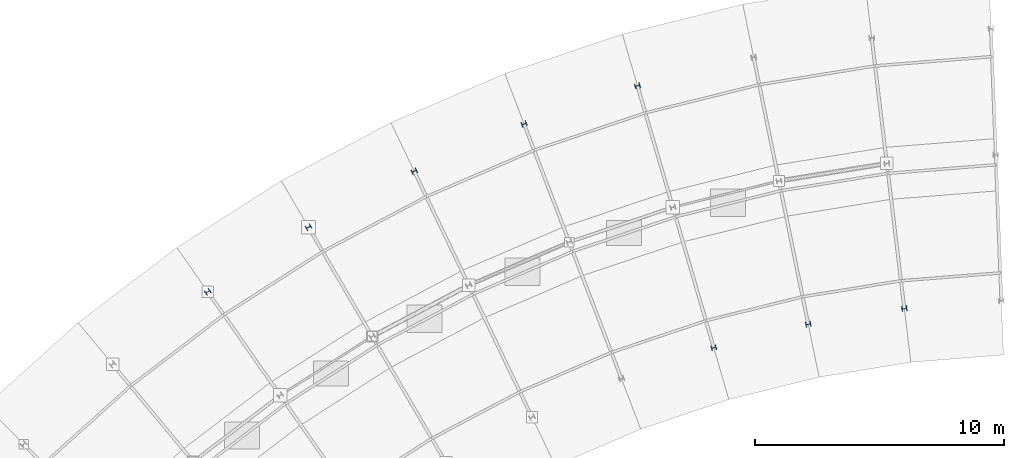
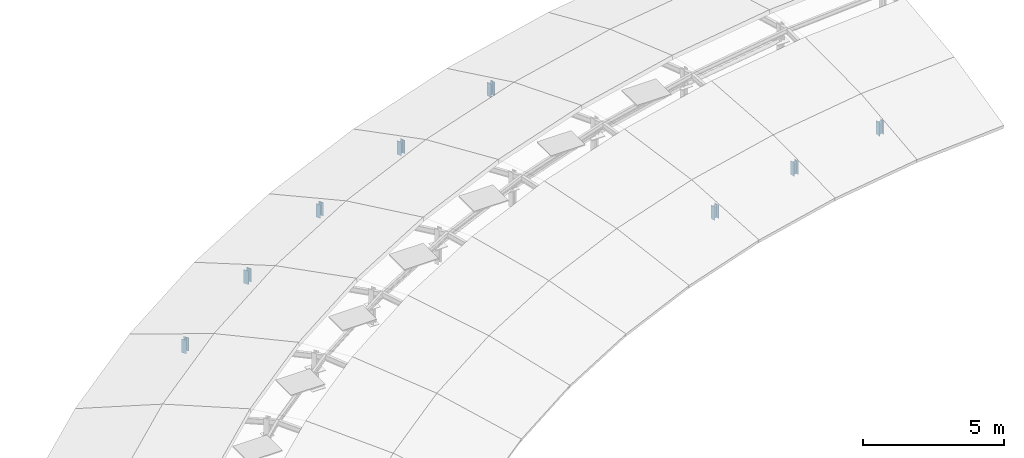
# One storey, part 4 of 8: 8 columns.
"""IFC4 building model written with IfcOpenShell, lengths in metres."""

import ifcopenshell
import ifcopenshell.guid

model = None  # the IFC model being written
_history = None  # IfcOwnerHistory: only IFC2X3 demands one
_inside = {}  # id of a spatial element -> (the spatial element, [elements in it])
_under = {}  # id of a project, library or spatial element -> (it, [spatial elements below it])
_declared = {}  # id of a project -> (the project, [libraries it declares])
_typed = {}  # id of a type object -> (the type object, [elements of that type])
_made_of = {}  # id of a material, layer set ... -> (it, [elements and type objects made of it])


def new_model(schema):
    """Start an empty IFC model of exactly this schema.

    Asked for "IFC4X3", IfcOpenShell would pick the latest addendum, in which some entities
    have other attributes; the version numbers below select the first issue.
    IFC2X3 requires an IfcOwnerHistory on every rooted entity: one is made here for all.
    """
    global model, _history
    if schema == "IFC4X3":
        model = ifcopenshell.file(schema_version=(4, 3, 0, 0))
    else:
        model = ifcopenshell.file(schema=schema)
    _inside.clear()
    _under.clear()
    _declared.clear()
    _typed.clear()
    _made_of.clear()
    _history = None
    if model.schema == "IFC2X3":
        org = make("IfcOrganization", Name="unknown")
        user = make(
            "IfcPersonAndOrganization",
            ThePerson=make("IfcPerson", FamilyName="unknown"),
            TheOrganization=org,
        )
        app = make(
            "IfcApplication",
            ApplicationDeveloper=org,
            Version="unknown",
            ApplicationFullName="unknown",
            ApplicationIdentifier="unknown",
        )
        _history = make(
            "IfcOwnerHistory",
            OwningUser=user,
            OwningApplication=app,
            ChangeAction="ADDED",
            CreationDate=0,
        )
    return model


def make(cls, **values):
    """One entity of the class cls with the attributes given. An attribute that is None is left unset."""
    return model.create_entity(
        cls, **{name: value for name, value in values.items() if value is not None}
    )


def rooted(cls, **values):
    """An entity with a GlobalId (a new one), such as an element, a storey or a relation."""
    return make(cls, GlobalId=ifcopenshell.guid.new(), OwnerHistory=_history, **values)


def si_unit(unit_type, name, prefix=None):
    """IfcSIUnit, for example si_unit("LENGTHUNIT", "METRE", prefix="MILLI")."""
    return make("IfcSIUnit", UnitType=unit_type, Prefix=prefix, Name=name)


def assignment(units):
    """IfcUnitAssignment: the units of a project."""
    return None if units is None else make("IfcUnitAssignment", Units=units)


def point(xyz):
    """IfcCartesianPoint."""
    return None if xyz is None else make("IfcCartesianPoint", Coordinates=xyz)


def direction(xyz):
    """IfcDirection."""
    return None if xyz is None else make("IfcDirection", DirectionRatios=xyz)


def frame(location, z_axis=None, x_axis=None):
    """IfcAxis2Placement3D, a coordinate frame: its origin and axes. An axis left out is left unset."""
    return make(
        "IfcAxis2Placement3D",
        Location=point(location),
        Axis=direction(z_axis),
        RefDirection=direction(x_axis),
    )


def frame_2d(location, x_axis=None):
    """IfcAxis2Placement2D, a coordinate frame in the plane: its origin and x axis."""
    return make(
        "IfcAxis2Placement2D", Location=point(location), RefDirection=direction(x_axis)
    )


def origin():
    """The frame at (0, 0, 0) with its axes left unset."""
    return frame((0.0, 0.0, 0.0))


def origin_2d():
    """The frame at (0, 0) in the plane with its x axis left unset."""
    return frame_2d((0.0, 0.0))


def place(relative_to, where):
    """IfcLocalPlacement: puts the frame where relative to a parent placement (None: the world)."""
    return make(
        "IfcLocalPlacement", PlacementRelTo=relative_to, RelativePlacement=where
    )


def context(
    kind, dimensions, precision=None, world=None, true_north=None, identifier=None
):
    """IfcGeometricRepresentationContext, for example the 3D "Model" context."""
    return make(
        "IfcGeometricRepresentationContext",
        ContextIdentifier=identifier,
        ContextType=kind,
        CoordinateSpaceDimension=dimensions,
        Precision=precision,
        WorldCoordinateSystem=world,
        TrueNorth=true_north,
    )


def subcontext(parent, identifier, kind, view, scale=None):
    """IfcGeometricRepresentationSubContext, for example "Body" below "Model"."""
    return make(
        "IfcGeometricRepresentationSubContext",
        ContextIdentifier=identifier,
        ContextType=kind,
        ParentContext=parent,
        TargetScale=scale,
        TargetView=view,
    )


def project(units=None, contexts=None):
    """IfcProject with its units and contexts."""
    return rooted(
        "IfcProject",
        Name="project",
        RepresentationContexts=contexts,
        UnitsInContext=assignment(units),
    )


def spatial(cls, under=None, at=None, **own):
    """A site, building, storey or space (cls), placed at a placement, below another one or the project."""
    s = rooted(cls, ObjectPlacement=at, **own)
    if under is not None:
        _under.setdefault(under.id(), (under, []))[1].append(s)
    return s


def profile(cls, at=None, kind="AREA", **sizes):
    """A parametric profile (cls). Its sizes go by their IFC names, for example OverallWidth=200.0."""
    return make(cls, ProfileType=kind, Position=at, **sizes)


def i_section(**sizes):
    """IfcIShapeProfileDef."""
    return profile("IfcIShapeProfileDef", **sizes)


def extrude(swept, where, along, depth):
    """IfcExtrudedAreaSolid: the profile swept, set in the frame where, extruded along a direction by depth."""
    return make(
        "IfcExtrudedAreaSolid",
        SweptArea=swept,
        Position=where,
        ExtrudedDirection=direction(along),
        Depth=depth,
    )


def shape(context_of_items, identifier, shape_type, items):
    """IfcShapeRepresentation: the items that make up one representation, for example the "Body"."""
    return make(
        "IfcShapeRepresentation",
        ContextOfItems=context_of_items,
        RepresentationIdentifier=identifier,
        RepresentationType=shape_type,
        Items=items,
    )


def material(Name=None, Category=None):
    """IfcMaterial."""
    return make("IfcMaterial", Name=Name, Category=Category)


def material_profile(
    of_material, cross_section, Name=None, Category=None, Priority=None
):
    """IfcMaterialProfile: a cross section and its material."""
    return make(
        "IfcMaterialProfile",
        Name=Name,
        Material=of_material,
        Profile=cross_section,
        Priority=Priority,
        Category=Category,
    )


def profile_set(profiles, Name=None, composite=None):
    """IfcMaterialProfileSet."""
    return make(
        "IfcMaterialProfileSet",
        Name=Name,
        MaterialProfiles=profiles,
        CompositeProfile=composite,
    )


def made_of(thing, what):
    """Note that an element or type object is made of a material, layer set ...; save() writes the relation."""
    if what is not None:
        _made_of.setdefault(what.id(), (what, []))[1].append(thing)
    return thing


def type_object(cls, material=None, **own):
    """A type object (cls), such as IfcWallType, which elements share."""
    return made_of(rooted(cls, **own), material)


def element(
    cls,
    number,
    at=None,
    inside=None,
    cuts=None,
    type_object=None,
    material=None,
    context=None,
    identifier="Body",
    shape_type=None,
    held_by="IfcProductDefinitionShape",
    body=None,
    shapes=None,
    **own,
):
    """One element of the class cls, such as IfcWall. Its Tag is "e" and its number.

    at: its placement. inside: the storey or other place that contains it. cuts: it is an
    opening in that element (IfcRelVoidsElement). A single representation is given by context,
    identifier, shape_type and body (its items); several are given by shapes. held_by: the class
    of the entity that holds the representations. save() writes the other relations.
    """
    e = rooted(cls, Tag="e%d" % number, ObjectPlacement=at, **own)
    if body is not None:
        shapes = [shape(context, identifier, shape_type, body)]
    if shapes is not None:
        e.Representation = make(held_by, Representations=shapes)
    if inside is not None:
        _inside.setdefault(inside.id(), (inside, []))[1].append(e)
    if cuts is not None:
        rooted(
            "IfcRelVoidsElement", RelatingBuildingElement=cuts, RelatedOpeningElement=e
        )
    if type_object is not None:
        _typed.setdefault(type_object.id(), (type_object, []))[1].append(e)
    return made_of(e, material)


def aggregate(whole, parts):
    """IfcRelAggregates: a whole, such as a stair, and the parts it consists of."""
    return rooted("IfcRelAggregates", RelatingObject=whole, RelatedObjects=parts)


def save(model, path):
    """Write the relations noted so far, then the file.

    IfcRelAggregates (storeys below a building ...), IfcRelContainedInSpatialStructure (elements
    in a storey), IfcRelDefinesByType, IfcRelAssociatesMaterial and IfcRelDeclares: one each for
    every whole, place, type object, material and project.
    """
    for whole, parts in _under.values():
        aggregate(whole, parts)
    for where, things in _inside.values():
        rooted(
            "IfcRelContainedInSpatialStructure",
            RelatedElements=things,
            RelatingStructure=where,
        )
    for kind, things in _typed.values():
        rooted("IfcRelDefinesByType", RelatedObjects=things, RelatingType=kind)
    for what, things in _made_of.values():
        rooted("IfcRelAssociatesMaterial", RelatedObjects=things, RelatingMaterial=what)
    for by, libraries in _declared.values():
        rooted("IfcRelDeclares", RelatingContext=by, RelatedDefinitions=libraries)
    model.write(path)


model = new_model("IFC4")

# Units and contexts
model_context = context("Model", 3, precision=1e-05, world=origin(), true_north=direction((0.0, 1.0)))
body_context = subcontext(model_context, "Body", "Model", "MODEL_VIEW")
ifc_project = project(units=[si_unit("LENGTHUNIT", "METRE"), si_unit("AREAUNIT", "SQUARE_METRE"), si_unit("VOLUMEUNIT", "CUBIC_METRE"), si_unit("PLANEANGLEUNIT", "RADIAN"), si_unit("MASSUNIT", "GRAM", prefix="KILO")], contexts=[model_context])

# Site, building, storey
site_placement = place(None, origin())
site = spatial("IfcSite", under=ifc_project, at=site_placement, CompositionType="ELEMENT")
building_placement = place(site_placement, origin())
building = spatial("IfcBuilding", under=site, at=building_placement, Name="Zimvara Arc Housing Community", CompositionType="ELEMENT")
storey_placement = place(building_placement, frame((0.0, 0.0, 45.300048828125)))
storey = spatial("IfcBuildingStorey", under=building, at=storey_placement, Name="RF", CompositionType="ELEMENT", Elevation=45.300048828125)

# Columns
ifc_material = material(Name="Steel S355", Category="steel")
ifc_material_profile = material_profile(ifc_material, i_section(OverallWidth=0.199951171875, OverallDepth=0.199951171875, WebThickness=0.009033203125, FlangeThickness=0.014892578125, FilletRadius=0.01806640625, at=origin_2d()), Name="HEB 200")
ifc_profile_set = profile_set([ifc_material_profile], Name="Steel S355")
column_type = type_object("IfcColumnType", Name="COL-ST-HEB200", PredefinedType="COLUMN", material=ifc_profile_set)
for number, where, z_axis, x_axis, name in (
    (1, (11.261474609375, 92.755126953125, 0.0), (0.0, 0.0, 1.0), (-0.573004420611, 0.819552276527, 0.0), "col:blkA:RF:ribpost3:g3"),
    (2, (15.311279296875, 95.34716796875, 0.0), (0.0, 0.0, 1.0), (-0.504226211181, 0.863571611366, 0.0), "col:blkA:RF:ribpost3:g4"),
    (3, (19.558837890625, 97.599853515625, 0.0), (0.0, 0.0, 1.0), (-0.432085748802, 0.901832526405, 0.0), "col:blkA:RF:ribpost3:g5"),
    (4, (23.97607421875, 99.49853515625, 0.0), (0.0, 0.0, 1.0), (-0.357064076459, 0.934079892355, 0.0), "col:blkA:RF:ribpost3:g6"),
    (5, (31.5986328125, 90.5078125, 0.0), (0.0, 0.0, 1.0), (-0.27966144946, 0.96009867914, 0.0), "col:blkA:RF:ribpost1:g7"),
    (6, (28.533447265625, 101.030517578125, 0.0), (0.0, 0.0, 1.0), (-0.27966144946, 0.96009867914, 0.0), "col:blkA:RF:ribpost3:g7"),
    (7, (35.397216796875, 91.447998046875, 0.0), (0.0, 0.0, 1.0), (-0.200393999665, 0.979715389742, 0.0), "col:blkA:RF:ribpost1:g8"),
    (8, (39.259765625, 92.074951171875, 0.0), (0.0, 0.0, 1.0), (-0.119790293837, 0.992799217114, 0.0), "col:blkA:RF:ribpost1:g9"),
):
    element("IfcColumn", number, at=place(storey_placement, frame(where, z_axis=z_axis, x_axis=x_axis)), inside=storey, type_object=column_type, Name=name, PredefinedType="COLUMN", context=body_context, shape_type="SweptSolid", body=[
        extrude(i_section(OverallWidth=0.199951171875, OverallDepth=0.199951171875, WebThickness=0.009033203125, FlangeThickness=0.014892578125, FilletRadius=0.01806640625, at=origin_2d()), origin(), (0.0, 0.0, 1.0), 0.58251953125),
    ])

save(model, "model.ifc")
